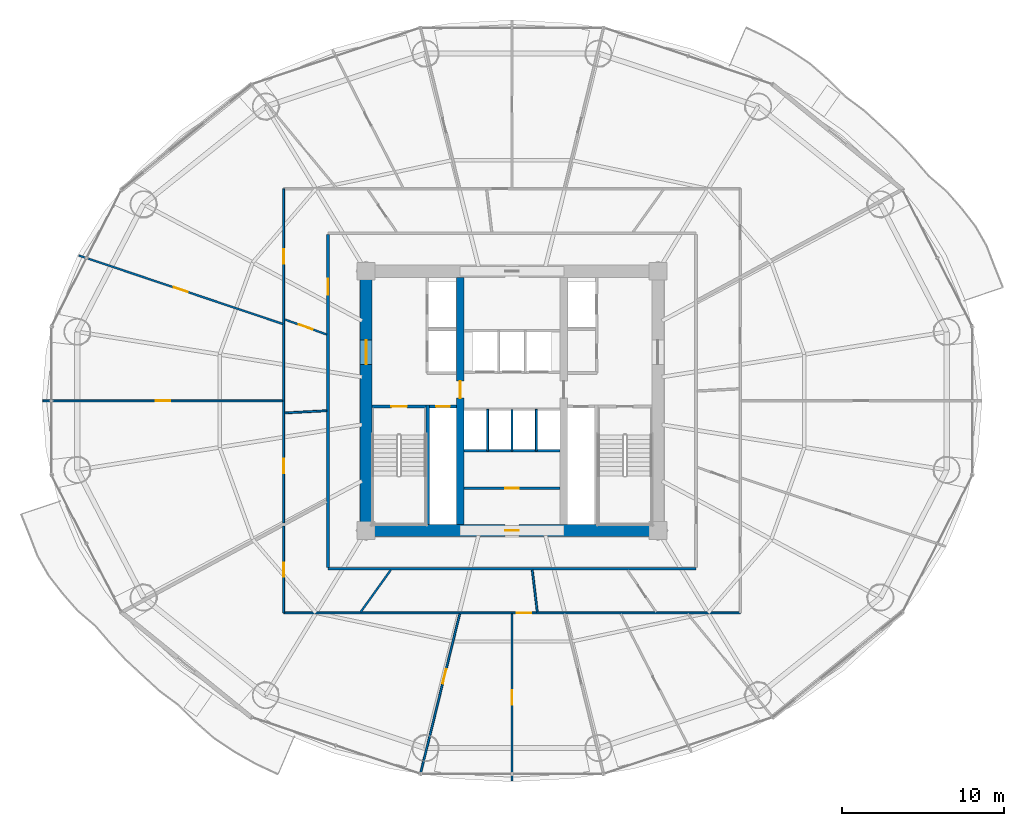
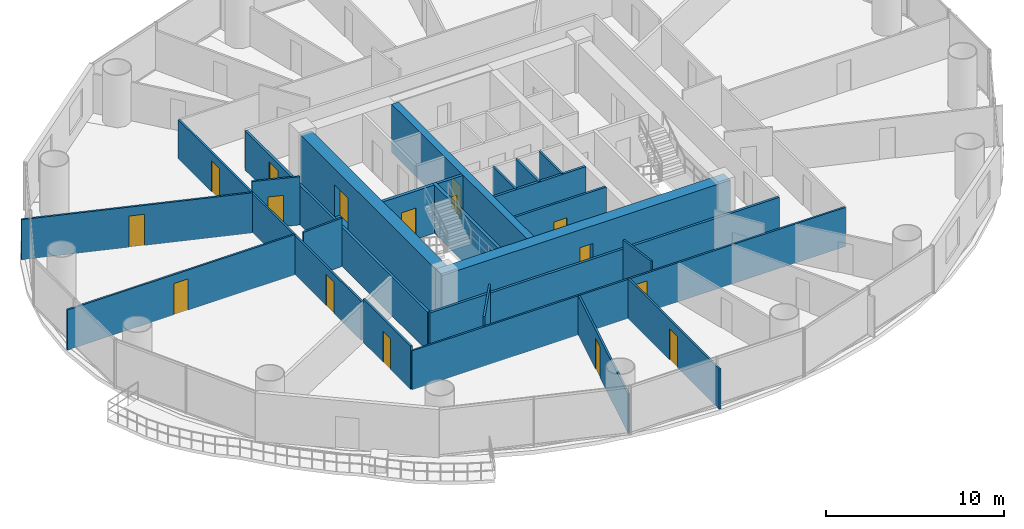
# One storey, part 23 of 30: 24 walls, 16 doors, 16 openings.
"""IFC4 building model written with IfcOpenShell, lengths in metres."""

from ifc_helpers import new_model, si_unit, direction, frame, frame_2d, origin, place, context, subcontext, project, spatial, rectangle, extrude, source, transform, mapped, material, layer, layer_set, type_object, element, fill, save


model = new_model("IFC4")

# Units and contexts
model_context = context("Model", 3, precision=1e-05, world=origin(), true_north=direction((-0.2419218956, 0.970295726276)))
body_context = subcontext(model_context, "Body", "Model", "MODEL_VIEW")
ifc_project = project(units=[si_unit("LENGTHUNIT", "METRE"), si_unit("AREAUNIT", "SQUARE_METRE"), si_unit("VOLUMEUNIT", "CUBIC_METRE"), si_unit("PLANEANGLEUNIT", "RADIAN"), si_unit("MASSUNIT", "GRAM", prefix="KILO")], contexts=[model_context])

# Site, building, storey
site_placement = place(None, origin())
site = spatial("IfcSite", under=ifc_project, at=site_placement, CompositionType="ELEMENT")
building_placement = place(site_placement, origin())
building = spatial("IfcBuilding", under=site, at=building_placement, Name="Cobrevalo Terracotta Tower", CompositionType="ELEMENT")
storey_placement = place(building_placement, frame((0.0, 0.0, 63.60009765625)))
storey = spatial("IfcBuildingStorey", under=building, at=storey_placement, Name="L16", CompositionType="ELEMENT", Elevation=63.60009765625)

# Wall, opening, door
ifc_material_1 = material(Name="Concrete C60", Category="concrete")
ifc_layer_1 = layer(ifc_material_1, 0.75)
ifc_layer_set_1 = layer_set([ifc_layer_1], Name="Concrete C60")
wall_type_1 = type_object("IfcWallType", Name="Core shear wall 750 mm Concrete C60", PredefinedType="SHEAR", material=ifc_layer_set_1)
wall_1_placement = place(storey_placement, frame((28.625, 18.800048828125, 0.0), z_axis=(0.0, 0.0, 1.0), x_axis=(1.0, 0.0, 0.0)))
wall_1 = element("IfcWall", 1, at=wall_1_placement, inside=storey, type_object=wall_type_1, Name="L16 south core shear wall", PredefinedType="SHEAR", context=body_context, shape_type="SweptSolid", body=[
    extrude(rectangle(XDim=18.75, YDim=0.75, at=frame_2d((9.375, 0.0))), origin(), (0.0, 0.0, 1.0), 3.31982421875),
])
opening_1_placement = place(wall_1_placement, frame((8.949951171875, 0.0, 0.0)))
opening_1 = element("IfcOpeningElement", 2, at=opening_1_placement, cuts=wall_1, Name="Opening ID-22", PredefinedType="OPENING", context=body_context, shape_type="SweptSolid", body=[
    extrude(rectangle(XDim=0.85009765625, YDim=2.10009765625, at=frame_2d((0.425048828125, 1.050048828125))), frame((0.0, 0.385009765625, 0.0), z_axis=(0.0, -1.0, 0.0), x_axis=(1.0, 0.0, 0.0)), (0.0, 0.0, 1.0), 0.77001953125),
])
ifc_material_2 = material(Name="Powder-coated steel", Category="steel")
door_type_1 = type_object("IfcDoorType", Name="Riser shaft & meter closet fire access door 850x2100 EI 60", OperationType="NOTDEFINED", PredefinedType="DOOR", material=ifc_material_2)
shared_shape_1 = source(origin(), body_context, "Body", "SweptSolid", [
    extrude(rectangle(XDim=0.85009765625, YDim=2.10009765625, at=frame_2d((0.425048828125, 1.050048828125))), frame((0.0, 0.02490234375, 0.0), z_axis=(0.0, -1.0, 0.0), x_axis=(1.0, 0.0, 0.0)), (0.0, 0.0, 1.0), 0.050048828125),
])
door_1_placement = place(opening_1_placement, origin())
door_1 = element("IfcDoor", 3, at=door_1_placement, inside=storey, type_object=door_type_1, Name="L16 core south plant door Smoke Extract Fan Plant", OperationType="SINGLE_SWING_RIGHT", OverallHeight=2.10009765625, OverallWidth=0.85009765625, PredefinedType="DOOR", context=body_context, shape_type="MappedRepresentation", body=[
    mapped(shared_shape_1, transform((0.0, 0.0, 0.0), scale=1.0)),
])
fill(opening_1, door_1)

wall_2_placement = place(storey_placement, frame((29.0, 19.175048828125, 0.0), z_axis=(0.0, 0.0, 1.0), x_axis=(0.0, 1.0, 0.0)))
wall_2 = element("IfcWall", 4, at=wall_2_placement, inside=storey, type_object=wall_type_1, Name="L16 west core shear wall", PredefinedType="SHEAR", context=body_context, shape_type="SweptSolid", body=[
    extrude(rectangle(XDim=15.25, YDim=0.75, at=frame_2d((7.625, 0.0))), origin(), (0.0, 0.0, 1.0), 3.31982421875),
])
opening_2_placement = place(wall_2_placement, frame((9.875, 0.0, 0.0)))
opening_2 = element("IfcOpeningElement", 5, at=opening_2_placement, cuts=wall_2, Name="Opening ID-14", PredefinedType="OPENING", context=body_context, shape_type="SweptSolid", body=[
    extrude(rectangle(XDim=1.5, YDim=2.199951171875, at=frame_2d((0.75, 1.10009765625))), frame((0.0, 0.385009765625, 0.0), z_axis=(0.0, -1.0, 0.0), x_axis=(1.0, 0.0, 0.0)), (0.0, 0.0, 1.0), 0.77001953125),
])
ifc_material_3 = material(Name="Galvanized fire-rated steel", Category="steel")
door_type_2 = type_object("IfcDoorType", Name="Core cross-lobby double fire door 1500x2200 EI 90", OperationType="NOTDEFINED", PredefinedType="DOOR", material=ifc_material_3)
shared_shape_2 = source(origin(), body_context, "Body", "SweptSolid", [
    extrude(rectangle(XDim=1.5, YDim=2.199951171875, at=frame_2d((0.75, 1.10009765625))), frame((0.0, 0.02490234375, 0.0), z_axis=(0.0, -1.0, 0.0), x_axis=(1.0, 0.0, 0.0)), (0.0, 0.0, 1.0), 0.050048828125),
])
door_2_placement = place(opening_2_placement, origin())
door_2 = element("IfcDoor", 6, at=door_2_placement, inside=storey, type_object=door_type_2, Name="L16 west firefighting lobby entrance door", OperationType="DOUBLE_DOOR_SINGLE_SWING", OverallHeight=2.199951171875, OverallWidth=1.5, PredefinedType="DOOR", context=body_context, shape_type="MappedRepresentation", body=[
    mapped(shared_shape_2, transform((0.0, 0.0, 0.0), scale=1.0)),
])
fill(opening_2, door_2)

# Walls
ifc_material_4 = material(Name="Gypsum board on steel stud", Category="steel")
ifc_layer_2 = layer(ifc_material_4, 0.159912109375)
ifc_layer_set_2 = layer_set([ifc_layer_2], Name="Gypsum board on steel stud")
wall_type_2 = type_object("IfcWallType", Name="Fire-rated corridor acoustic partition wall 160 mm", PredefinedType="PARTITIONING", material=ifc_layer_set_2)
wall_3_placement = place(storey_placement, frame((35.02490234375, 23.719970703125, 0.0), z_axis=(0.0, 0.0, 1.0), x_axis=(1.0, 0.0, 0.0)))
element("IfcWall", 7, at=wall_3_placement, inside=storey, type_object=wall_type_2, Name="L16 interior partition IW-L16-MB-S", PredefinedType="PARTITIONING", context=body_context, shape_type="SweptSolid", body=[
    extrude(rectangle(XDim=5.9501953125, YDim=0.159912109375, at=frame_2d((2.97509765625, 0.0))), origin(), (0.0, 0.0, 1.0), 3.31982421875),
])
wall_4_placement = place(storey_placement, frame((26.64501953125, 16.445068359375, 0.0), z_axis=(0.0, 0.0, 1.0), x_axis=(1.0, 0.0, 0.0)))
element("IfcWall", 8, at=wall_4_placement, inside=storey, type_object=wall_type_2, Name="L16 interior partition IW-L16-COR-S", PredefinedType="PARTITIONING", context=body_context, shape_type="SweptSolid", body=[
    extrude(rectangle(XDim=22.7099609375, YDim=0.159912109375, at=frame_2d((11.35498046875, 0.0))), origin(), (0.0, 0.0, 1.0), 2.68798828125),
])

# Wall, opening, door
wall_5_placement = place(storey_placement, frame((26.64501953125, 16.52490234375, 0.0), z_axis=(0.0, 0.0, 1.0), x_axis=(0.0, 1.0, 0.0)))
wall_5 = element("IfcWall", 9, at=wall_5_placement, inside=storey, type_object=wall_type_2, Name="L16 interior partition IW-L16-COR-W", PredefinedType="PARTITIONING", context=body_context, shape_type="SweptSolid", body=[
    extrude(rectangle(XDim=20.550048828125, YDim=0.159912109375, at=frame_2d((10.27490234375, 0.0))), origin(), (0.0, 0.0, 1.0), 2.68798828125),
])
opening_3_placement = place(wall_5_placement, frame((16.8369140625, 0.0, 0.0)))
opening_3 = element("IfcOpeningElement", 10, at=opening_3_placement, cuts=wall_5, Name="Opening ID-05", PredefinedType="OPENING", context=body_context, shape_type="SweptSolid", body=[
    extrude(rectangle(XDim=0.97998046875, YDim=2.199951171875, at=frame_2d((0.489990234375, 1.10009765625))), frame((0.0, 0.08984375, 0.0), z_axis=(0.0, -1.0, 0.0), x_axis=(1.0, 0.0, 0.0)), (0.0, 0.0, 1.0), 0.179931640625),
])
ifc_material_5 = material(Name="Solid hardwood timber", Category="wood")
door_type_3 = type_object("IfcDoorType", Name="Residence entrance fire-rated acoustic timber door 980x2200 EI 60", OperationType="NOTDEFINED", PredefinedType="DOOR", material=ifc_material_5)
shared_shape_3 = source(origin(), body_context, "Body", "SweptSolid", [
    extrude(rectangle(XDim=0.97998046875, YDim=2.199951171875, at=frame_2d((0.489990234375, 1.10009765625))), frame((0.0, 0.02490234375, 0.0), z_axis=(0.0, -1.0, 0.0), x_axis=(1.0, 0.0, 0.0)), (0.0, 0.0, 1.0), 0.050048828125),
])
door_3_placement = place(opening_3_placement, origin())
door_3 = element("IfcDoor", 11, at=door_3_placement, inside=storey, type_object=door_type_3, Name="Flat L16A fire-rated apartment entrance door", OperationType="SINGLE_SWING_LEFT", OverallHeight=2.199951171875, OverallWidth=0.97998046875, PredefinedType="DOOR", context=body_context, shape_type="MappedRepresentation", body=[
    mapped(shared_shape_3, transform((0.0, 0.0, 0.0), scale=1.0)),
])
fill(opening_3, door_3)

ifc_layer_3 = layer(ifc_material_4, 0.179931640625)
ifc_layer_set_3 = layer_set([ifc_layer_3], Name="Gypsum board on steel stud")
wall_type_3 = type_object("IfcWallType", Name="Fire-rated shaft & lobby acoustic partition wall 180 mm", PredefinedType="PARTITIONING", material=ifc_layer_set_3)
wall_6_placement = place(storey_placement, frame((32.89990234375, 26.449951171875, 0.0), z_axis=(0.0, 0.0, 1.0), x_axis=(1.0, 0.0, 0.0)))
wall_6 = element("IfcWall", 12, at=wall_6_placement, inside=storey, type_object=wall_type_3, Name="L16 interior partition IW-L16-RSW-N", PredefinedType="PARTITIONING", context=body_context, shape_type="SweptSolid", body=[
    extrude(rectangle(XDim=1.675048828125, YDim=0.179931640625, at=frame_2d((0.83740234375, 0.0))), origin(), (0.0, 0.0, 1.0), 3.31982421875),
])
opening_4_placement = place(wall_6_placement, frame((0.41259765625, 0.0, 0.0)))
opening_4 = element("IfcOpeningElement", 13, at=opening_4_placement, cuts=wall_6, Name="Opening ID-22", PredefinedType="OPENING", context=body_context, shape_type="SweptSolid", body=[
    extrude(rectangle(XDim=0.85009765625, YDim=2.10009765625, at=frame_2d((0.425048828125, 1.050048828125))), frame((0.0, 0.10009765625, 0.0), z_axis=(0.0, -1.0, 0.0), x_axis=(1.0, 0.0, 0.0)), (0.0, 0.0, 1.0), 0.199951171875),
])
door_4_placement = place(opening_4_placement, origin())
door_4 = element("IfcDoor", 14, at=door_4_placement, inside=storey, type_object=door_type_1, Name="L16 riser access door RSW", OperationType="SINGLE_SWING_LEFT", OverallHeight=2.10009765625, OverallWidth=0.85009765625, PredefinedType="DOOR", context=body_context, shape_type="MappedRepresentation", body=[
    mapped(shared_shape_1, transform((0.0, 0.0, 0.0), scale=1.0)),
])
fill(opening_4, door_4)

# Walls
ifc_material_6 = material(Name="Autoclaved aerated concrete block", Category="concrete")
ifc_layer_4 = layer(ifc_material_6, 0.1201171875)
ifc_layer_set_4 = layer_set([ifc_layer_4], Name="Autoclaved aerated concrete block")
wall_type_4 = type_object("IfcWallType", Name="Fire-rated wet-room & core service partition 120 mm", PredefinedType="PARTITIONING", material=ifc_layer_set_4)
for number, where, z_axis, x_axis, name in (
    (15, (36.5, 23.719970703125, 0.0), (0.0, 0.0, 1.0), (0.0, 1.0, 0.0), "L16 interior partition IW-L16-MB-D1"),
    (16, (39.5, 23.719970703125, 0.0), (0.0, 0.0, 1.0), (0.0, 1.0, 0.0), "L16 interior partition IW-L16-MB-D3"),
):
    element("IfcWall", number, at=place(storey_placement, frame(where, z_axis=z_axis, x_axis=x_axis)), inside=storey, type_object=wall_type_4, Name=name, PredefinedType="PARTITIONING", context=body_context, shape_type="SweptSolid", body=[
        extrude(rectangle(XDim=2.56005859375, YDim=0.1201171875, at=frame_2d((1.280029296875, 0.0))), origin(), (0.0, 0.0, 1.0), 3.31982421875),
    ])

# Wall, opening, door
ifc_material_7 = material(Name="Concrete C55", Category="concrete")
ifc_layer_5 = layer(ifc_material_7, 0.449951171875)
ifc_layer_set_5 = layer_set([ifc_layer_5], Name="Concrete C55")
wall_type_5 = type_object("IfcWallType", Name="Internal core shear web wall 450 mm Concrete C55", PredefinedType="SHEAR", material=ifc_layer_set_5)
wall_7_placement = place(storey_placement, frame((34.800048828125, 19.175048828125, 0.0), z_axis=(0.0, 0.0, 1.0), x_axis=(0.0, 1.0, 0.0)))
wall_7 = element("IfcWall", 17, at=wall_7_placement, inside=storey, type_object=wall_type_5, Name="L16 internal core shear wall WEB-W", PredefinedType="SHEAR", context=body_context, shape_type="SweptSolid", body=[
    extrude(rectangle(XDim=15.25, YDim=0.449951171875, at=frame_2d((7.625, 0.0))), origin(), (0.0, 0.0, 1.0), 3.31982421875),
])
opening_5_placement = place(wall_7_placement, frame((7.800048828125, 0.0, 0.0)))
opening_5 = element("IfcOpeningElement", 18, at=opening_5_placement, cuts=wall_7, Name="Opening ID-11", PredefinedType="OPENING", context=body_context, shape_type="SweptSolid", body=[
    extrude(rectangle(XDim=1.050048828125, YDim=2.14990234375, at=frame_2d((0.52490234375, 1.074951171875))), frame((0.0, 0.23486328125, 0.0), z_axis=(0.0, -1.0, 0.0), x_axis=(1.0, 0.0, 0.0)), (0.0, 0.0, 1.0), 0.469970703125),
])
door_type_4 = type_object("IfcDoorType", Name="Core concourse cross fire door 1050x2150 EI 90", OperationType="NOTDEFINED", PredefinedType="DOOR", material=ifc_material_3)
shared_shape_4 = source(origin(), body_context, "Body", "SweptSolid", [
    extrude(rectangle(XDim=1.050048828125, YDim=2.14990234375, at=frame_2d((0.52490234375, 1.074951171875))), frame((0.0, 0.02490234375, 0.0), z_axis=(0.0, -1.0, 0.0), x_axis=(1.0, 0.0, 0.0)), (0.0, 0.0, 1.0), 0.050048828125),
])
door_5_placement = place(opening_5_placement, origin())
door_5 = element("IfcDoor", 19, at=door_5_placement, inside=storey, type_object=door_type_4, Name="L16 west core concourse cross door", OperationType="SINGLE_SWING_LEFT", OverallHeight=2.14990234375, OverallWidth=1.050048828125, PredefinedType="DOOR", context=body_context, shape_type="MappedRepresentation", body=[
    mapped(shared_shape_4, transform((0.0, 0.0, 0.0), scale=1.0)),
])
fill(opening_5, door_5)

# Wall
ifc_layer_6 = layer(ifc_material_6, 0.139892578125)
ifc_layer_set_6 = layer_set([ifc_layer_6], Name="Autoclaved aerated concrete block")
wall_type_6 = type_object("IfcWallType", Name="Moisture-resistant wet-room & core service partition 140 mm", PredefinedType="PARTITIONING", material=ifc_layer_set_6)
wall_8_placement = place(storey_placement, frame((38.0, 23.719970703125, 0.0), z_axis=(0.0, 0.0, 1.0), x_axis=(0.0, 1.0, 0.0)))
element("IfcWall", 20, at=wall_8_placement, inside=storey, type_object=wall_type_6, Name="L16 interior partition IW-L16-MB-D2", PredefinedType="PARTITIONING", context=body_context, shape_type="SweptSolid", body=[
    extrude(rectangle(XDim=2.56005859375, YDim=0.139892578125, at=frame_2d((1.280029296875, 0.0))), origin(), (0.0, 0.0, 1.0), 3.31982421875),
])

# Wall, opening, door
wall_9_placement = place(storey_placement, frame((35.02490234375, 21.407470703125, 0.0), z_axis=(0.0, 0.0, 1.0), x_axis=(1.0, 0.0, 0.0)))
wall_9 = element("IfcWall", 21, at=wall_9_placement, inside=storey, type_object=wall_type_6, Name="L16 interior partition IW-L16-KVS-H", PredefinedType="PARTITIONING", context=body_context, shape_type="SweptSolid", body=[
    extrude(rectangle(XDim=5.9501953125, YDim=0.139892578125, at=frame_2d((2.97509765625, 0.0))), origin(), (0.0, 0.0, 1.0), 3.31982421875),
])
opening_6_placement = place(wall_9_placement, frame((2.550048828125, 0.0, 0.0)))
opening_6 = element("IfcOpeningElement", 22, at=opening_6_placement, cuts=wall_9, Name="Opening ID-22", PredefinedType="OPENING", context=body_context, shape_type="SweptSolid", body=[
    extrude(rectangle(XDim=0.85009765625, YDim=2.10009765625, at=frame_2d((0.425048828125, 1.050048828125))), frame((0.0, 0.080078125, 0.0), z_axis=(0.0, -1.0, 0.0), x_axis=(1.0, 0.0, 0.0)), (0.0, 0.0, 1.0), 0.159912109375),
])
door_6_placement = place(opening_6_placement, origin())
door_6 = element("IfcDoor", 23, at=door_6_placement, inside=storey, type_object=door_type_1, Name="L16 core manifold inner door", OperationType="SINGLE_SWING_LEFT", OverallHeight=2.10009765625, OverallWidth=0.85009765625, PredefinedType="DOOR", context=body_context, shape_type="MappedRepresentation", body=[
    mapped(shared_shape_1, transform((0.0, 0.0, 0.0), scale=1.0)),
])
fill(opening_6, door_6)

# Wall, openings, doors
ifc_layer_7 = layer(ifc_material_4, 0.1201171875)
ifc_layer_set_7 = layer_set([ifc_layer_7], Name="Gypsum board on steel stud")
wall_type_7 = type_object("IfcWallType", Name="Residential internal acoustic stud partition 120 mm", PredefinedType="PARTITIONING", material=ifc_layer_set_7)
wall_10_placement = place(storey_placement, frame((23.9150390625, 19.275634765625, 0.0), z_axis=(0.0, 0.0, 1.0), x_axis=(0.0, 1.0, 0.0)))
wall_10 = element("IfcWall", 24, at=wall_10_placement, inside=storey, type_object=wall_type_7, Name="L16 interior partition IW-L16-U1-RING0_0", PredefinedType="PARTITIONING", context=body_context, shape_type="SweptSolid", body=[
    extrude(rectangle(XDim=20.609375, YDim=0.1201171875, at=frame_2d((10.3046875, 0.0))), origin(), (0.0, 0.0, 1.0), 2.68798828125),
])
opening_7_placement = place(wall_10_placement, frame((15.972412109375, 0.0, 0.0)))
opening_7 = element("IfcOpeningElement", 25, at=opening_7_placement, cuts=wall_10, Name="Opening ID-12", PredefinedType="OPENING", context=body_context, shape_type="SweptSolid", body=[
    extrude(rectangle(XDim=0.89990234375, YDim=2.14990234375, at=frame_2d((0.449951171875, 1.074951171875))), frame((0.0, 0.070068359375, 0.0), z_axis=(0.0, -1.0, 0.0), x_axis=(1.0, 0.0, 0.0)), (0.0, 0.0, 1.0), 0.14013671875),
])
opening_8_placement = place(wall_10_placement, frame((3.058349609375, 0.0, 0.0)))
opening_8 = element("IfcOpeningElement", 26, at=opening_8_placement, cuts=wall_10, Name="Opening ID-12", PredefinedType="OPENING", context=body_context, shape_type="SweptSolid", body=[
    extrude(rectangle(XDim=0.89990234375, YDim=2.14990234375, at=frame_2d((0.449951171875, 1.074951171875))), frame((0.0, 0.070068359375, 0.0), z_axis=(0.0, -1.0, 0.0), x_axis=(1.0, 0.0, 0.0)), (0.0, 0.0, 1.0), 0.14013671875),
])
ifc_material_8 = material(Name="Engineered timber", Category="wood")
door_type_5 = type_object("IfcDoorType", Name="Internal residence & suite timber door 900x2150", OperationType="NOTDEFINED", PredefinedType="DOOR", material=ifc_material_8)
shared_shape_5 = source(origin(), body_context, "Body", "SweptSolid", [
    extrude(rectangle(XDim=0.89990234375, YDim=2.14990234375, at=frame_2d((0.449951171875, 1.074951171875))), frame((0.0, 0.02490234375, 0.0), z_axis=(0.0, -1.0, 0.0), x_axis=(1.0, 0.0, 0.0)), (0.0, 0.0, 1.0), 0.050048828125),
])
door_7_placement = place(opening_7_placement, origin())
door_7 = element("IfcDoor", 27, at=door_7_placement, inside=storey, type_object=door_type_5, Name="Flat L16A Penthouse Family Lounge internal door", OperationType="SINGLE_SWING_RIGHT", OverallHeight=2.14990234375, OverallWidth=0.89990234375, PredefinedType="DOOR", context=body_context, shape_type="MappedRepresentation", body=[
    mapped(shared_shape_5, transform((0.0, 0.0, 0.0), scale=1.0)),
])
fill(opening_7, door_7)
door_8_placement = place(opening_8_placement, frame((0.89990234375, 0.0, 0.0), z_axis=(0.0, 0.0, 1.0), x_axis=(-1.0, 0.0, 0.0)))
door_8 = element("IfcDoor", 28, at=door_8_placement, inside=storey, type_object=door_type_5, Name="Flat L16A Utility Closet internal door", OperationType="SINGLE_SWING_LEFT", OverallHeight=2.14990234375, OverallWidth=0.89990234375, PredefinedType="DOOR", context=body_context, shape_type="MappedRepresentation", body=[
    mapped(shared_shape_5, transform((0.0, 0.0, 0.0), scale=1.0)),
])
fill(opening_8, door_8)

# Wall, opening, door
wall_11_placement = place(storey_placement, frame((23.856201171875, 31.54736328125, 0.0), z_axis=(0.0, 0.0, 1.0), x_axis=(-0.948017487737, 0.318218231634, 0.0)))
wall_11 = element("IfcWall", 29, at=wall_11_placement, inside=storey, type_object=wall_type_7, Name="L16 interior partition IW-L16-U1-ORAD4", PredefinedType="PARTITIONING", context=body_context, shape_type="SweptSolid", body=[
    extrude(rectangle(XDim=13.27880859375, YDim=0.1201171875, at=frame_2d((6.639404296875, 0.0))), origin(), (0.0, 0.0, 1.0), 2.761962890625),
])
opening_9_placement = place(wall_11_placement, frame((6.189453125, 0.0, 0.0)))
opening_9 = element("IfcOpeningElement", 30, at=opening_9_placement, cuts=wall_11, Name="Opening ID-12", PredefinedType="OPENING", context=body_context, shape_type="SweptSolid", body=[
    extrude(rectangle(XDim=0.89990234375, YDim=2.14990234375, at=frame_2d((0.449951171875, 1.074951171875))), frame((0.0, 0.070068359375, 0.0), z_axis=(0.0, -1.0, 0.0), x_axis=(1.0, 0.0, 0.0)), (0.0, 0.0, 1.0), 0.14013671875),
])
door_9_placement = place(opening_9_placement, origin())
door_9 = element("IfcDoor", 31, at=door_9_placement, inside=storey, type_object=door_type_5, Name="Flat L16A Penthouse Family Lounge internal door", OperationType="SINGLE_SWING_LEFT", OverallHeight=2.14990234375, OverallWidth=0.89990234375, PredefinedType="DOOR", context=body_context, shape_type="MappedRepresentation", body=[
    mapped(shared_shape_5, transform((0.0, 0.0, 0.0), scale=1.0)),
])
fill(opening_9, door_9)

wall_12_placement = place(storey_placement, frame((23.85302734375, 26.800048828125, 0.0), z_axis=(0.0, 0.0, 1.0), x_axis=(-1.0, 0.0, 0.0)))
wall_12 = element("IfcWall", 32, at=wall_12_placement, inside=storey, type_object=wall_type_7, Name="L16 interior partition IW-L16-U1-ORAD5", PredefinedType="PARTITIONING", context=body_context, shape_type="SweptSolid", body=[
    extrude(rectangle(XDim=14.79296875, YDim=0.1201171875, at=frame_2d((7.396484375, 0.0))), origin(), (0.0, 0.0, 1.0), 2.761962890625),
])
opening_10_placement = place(wall_12_placement, frame((6.946533203125, 0.0, 0.0)))
opening_10 = element("IfcOpeningElement", 33, at=opening_10_placement, cuts=wall_12, Name="Opening ID-12", PredefinedType="OPENING", context=body_context, shape_type="SweptSolid", body=[
    extrude(rectangle(XDim=0.89990234375, YDim=2.14990234375, at=frame_2d((0.449951171875, 1.074951171875))), frame((0.0, 0.070068359375, 0.0), z_axis=(0.0, -1.0, 0.0), x_axis=(1.0, 0.0, 0.0)), (0.0, 0.0, 1.0), 0.14013671875),
])
door_10_placement = place(opening_10_placement, origin())
door_10 = element("IfcDoor", 34, at=door_10_placement, inside=storey, type_object=door_type_5, Name="Flat L16A Private Cinema Room internal door", OperationType="SINGLE_SWING_RIGHT", OverallHeight=2.14990234375, OverallWidth=0.89990234375, PredefinedType="DOOR", context=body_context, shape_type="MappedRepresentation", body=[
    mapped(shared_shape_5, transform((0.0, 0.0, 0.0), scale=1.0)),
])
fill(opening_10, door_10)

wall_13_placement = place(storey_placement, frame((26.56494140625, 30.896484375, 0.0), z_axis=(0.0, 0.0, 1.0), x_axis=(-0.941406362049, 0.337274460186, 0.0)))
wall_13 = element("IfcWall", 35, at=wall_13_placement, inside=storey, type_object=wall_type_7, Name="L16 interior partition IW-L16-U1-IRAD4", PredefinedType="PARTITIONING", context=body_context, shape_type="SweptSolid", body=[
    extrude(rectangle(XDim=2.7529296875, YDim=0.1201171875, at=frame_2d((1.37646484375, 0.0))), origin(), (0.0, 0.0, 1.0), 3.31982421875),
])
opening_11_placement = place(wall_13_placement, frame((0.926513671875, 0.0, 0.0)))
opening_11 = element("IfcOpeningElement", 36, at=opening_11_placement, cuts=wall_13, Name="Opening ID-12", PredefinedType="OPENING", context=body_context, shape_type="SweptSolid", body=[
    extrude(rectangle(XDim=0.89990234375, YDim=2.14990234375, at=frame_2d((0.449951171875, 1.074951171875))), frame((0.0, 0.070068359375, 0.0), z_axis=(0.0, -1.0, 0.0), x_axis=(1.0, 0.0, 0.0)), (0.0, 0.0, 1.0), 0.14013671875),
])
door_11_placement = place(opening_11_placement, origin())
door_11 = element("IfcDoor", 37, at=door_11_placement, inside=storey, type_object=door_type_5, Name="Flat L16A Kitchen internal door", OperationType="SINGLE_SWING_LEFT", OverallHeight=2.14990234375, OverallWidth=0.89990234375, PredefinedType="DOOR", context=body_context, shape_type="MappedRepresentation", body=[
    mapped(shared_shape_5, transform((0.0, 0.0, 0.0), scale=1.0)),
])
fill(opening_11, door_11)

# Wall
wall_14_placement = place(storey_placement, frame((26.56494140625, 26.192626953125, 0.0), z_axis=(0.0, 0.0, 1.0), x_axis=(-0.99859273586, -0.053033460078, 0.0)))
element("IfcWall", 38, at=wall_14_placement, inside=storey, type_object=wall_type_7, Name="L16 interior partition IW-L16-U1-IRAD5", PredefinedType="PARTITIONING", context=body_context, shape_type="SweptSolid", body=[
    extrude(rectangle(XDim=2.591796875, YDim=0.1201171875, at=frame_2d((1.2958984375, 0.0))), origin(), (0.0, 0.0, 1.0), 3.31982421875),
])

# Wall, opening, door
wall_15_placement = place(storey_placement, frame((52.0849609375, 13.715087890625, 0.0), z_axis=(0.0, 0.0, 1.0), x_axis=(-1.0, 0.0, 0.0)))
wall_15 = element("IfcWall", 39, at=wall_15_placement, inside=storey, type_object=wall_type_7, Name="L16 interior partition IW-L16-U2-RING1_0", PredefinedType="PARTITIONING", context=body_context, shape_type="SweptSolid", body=[
    extrude(rectangle(XDim=28.169921875, YDim=0.1201171875, at=frame_2d((14.0849609375, 0.0))), origin(), (0.0, 0.0, 1.0), 2.68798828125),
])
opening_12_placement = place(wall_15_placement, frame((12.890625, 0.0, 0.0)))
opening_12 = element("IfcOpeningElement", 40, at=opening_12_placement, cuts=wall_15, Name="Opening ID-12", PredefinedType="OPENING", context=body_context, shape_type="SweptSolid", body=[
    extrude(rectangle(XDim=0.89990234375, YDim=2.14990234375, at=frame_2d((0.449951171875, 1.074951171875))), frame((0.0, 0.070068359375, 0.0), z_axis=(0.0, -1.0, 0.0), x_axis=(1.0, 0.0, 0.0)), (0.0, 0.0, 1.0), 0.14013671875),
])
door_12_placement = place(opening_12_placement, frame((0.89990234375, 0.0, 0.0), z_axis=(0.0, 0.0, 1.0), x_axis=(-1.0, 0.0, 0.0)))
door_12 = element("IfcDoor", 41, at=door_12_placement, inside=storey, type_object=door_type_5, Name="Flat L16B Home Office Study internal door", OperationType="SINGLE_SWING_LEFT", OverallHeight=2.14990234375, OverallWidth=0.89990234375, PredefinedType="DOOR", context=body_context, shape_type="MappedRepresentation", body=[
    mapped(shared_shape_5, transform((0.0, 0.0, 0.0), scale=1.0)),
])
fill(opening_12, door_12)

wall_16_placement = place(storey_placement, frame((23.9150390625, 13.715087890625, 0.0), z_axis=(0.0, 0.0, 1.0), x_axis=(0.0, 1.0, 0.0)))
wall_16 = element("IfcWall", 42, at=wall_16_placement, inside=storey, type_object=wall_type_7, Name="L16 interior partition IW-L16-U2-RING2_0", PredefinedType="PARTITIONING", context=body_context, shape_type="SweptSolid", body=[
    extrude(rectangle(XDim=5.3564453125, YDim=0.1201171875, at=frame_2d((2.67822265625, 0.0))), origin(), (0.0, 0.0, 1.0), 2.9990234375),
])
opening_13_placement = place(wall_16_placement, frame((2.248291015625, 0.0, 0.0)))
opening_13 = element("IfcOpeningElement", 43, at=opening_13_placement, cuts=wall_16, Name="Opening ID-19", PredefinedType="OPENING", context=body_context, shape_type="SweptSolid", body=[
    extrude(rectangle(XDim=0.860107421875, YDim=2.14990234375, at=frame_2d((0.43017578125, 1.074951171875))), frame((0.0, 0.070068359375, 0.0), z_axis=(0.0, -1.0, 0.0), x_axis=(1.0, 0.0, 0.0)), (0.0, 0.0, 1.0), 0.14013671875),
])
ifc_material_9 = material(Name="Moisture-sealed timber", Category="wood")
door_type_6 = type_object("IfcDoorType", Name="Suite bathroom internal timber door 860x2150", OperationType="NOTDEFINED", PredefinedType="DOOR", material=ifc_material_9)
shared_shape_6 = source(origin(), body_context, "Body", "SweptSolid", [
    extrude(rectangle(XDim=0.860107421875, YDim=2.14990234375, at=frame_2d((0.43017578125, 1.074951171875))), frame((0.0, 0.02490234375, 0.0), z_axis=(0.0, -1.0, 0.0), x_axis=(1.0, 0.0, 0.0)), (0.0, 0.0, 1.0), 0.050048828125),
])
door_13_placement = place(opening_13_placement, frame((0.860107421875, 0.0, 0.0), z_axis=(0.0, 0.0, 1.0), x_axis=(-1.0, 0.0, 0.0)))
door_13 = element("IfcDoor", 44, at=door_13_placement, inside=storey, type_object=door_type_6, Name="Flat L16B Guest Bathroom internal door", OperationType="SINGLE_SWING_RIGHT", OverallHeight=2.14990234375, OverallWidth=0.860107421875, PredefinedType="DOOR", context=body_context, shape_type="MappedRepresentation", body=[
    mapped(shared_shape_6, transform((0.0, 0.0, 0.0), scale=1.0)),
])
fill(opening_13, door_13)

wall_17_placement = place(storey_placement, frame((34.773193359375, 13.65478515625, 0.0), z_axis=(0.0, 0.0, 1.0), x_axis=(-0.238375747469, -0.97117300365, 0.0)))
wall_17 = element("IfcWall", 45, at=wall_17_placement, inside=storey, type_object=wall_type_7, Name="L16 interior partition IW-L16-U2-ORAD1", PredefinedType="PARTITIONING", context=body_context, shape_type="SweptSolid", body=[
    extrude(rectangle(XDim=10.086181640625, YDim=0.1201171875, at=frame_2d((5.04296875, 0.0))), origin(), (0.0, 0.0, 1.0), 2.68798828125),
])
opening_14_placement = place(wall_17_placement, frame((3.51806640625, 0.0, 0.0)))
opening_14 = element("IfcOpeningElement", 46, at=opening_14_placement, cuts=wall_17, Name="Opening ID-12", PredefinedType="OPENING", context=body_context, shape_type="SweptSolid", body=[
    extrude(rectangle(XDim=0.89990234375, YDim=2.14990234375, at=frame_2d((0.449951171875, 1.074951171875))), frame((0.0, 0.070068359375, 0.0), z_axis=(0.0, -1.0, 0.0), x_axis=(1.0, 0.0, 0.0)), (0.0, 0.0, 1.0), 0.14013671875),
])
door_14_placement = place(opening_14_placement, frame((0.89990234375, 0.0, 0.0), z_axis=(0.0, 0.0, 1.0), x_axis=(-1.0, 0.0, 0.0)))
door_14 = element("IfcDoor", 47, at=door_14_placement, inside=storey, type_object=door_type_5, Name="Flat L16B Penthouse Living and Dining Room internal door", OperationType="SINGLE_SWING_LEFT", OverallHeight=2.14990234375, OverallWidth=0.89990234375, PredefinedType="DOOR", context=body_context, shape_type="MappedRepresentation", body=[
    mapped(shared_shape_5, transform((0.0, 0.0, 0.0), scale=1.0)),
])
fill(opening_14, door_14)

wall_18_placement = place(storey_placement, frame((38.0, 13.653076171875, 0.0), z_axis=(0.0, 0.0, 1.0), x_axis=(0.0, -1.0, 0.0)))
wall_18 = element("IfcWall", 48, at=wall_18_placement, inside=storey, type_object=wall_type_7, Name="L16 interior partition IW-L16-U2-ORAD2M1", PredefinedType="PARTITIONING", context=body_context, shape_type="SweptSolid", body=[
    extrude(rectangle(XDim=10.29296875, YDim=0.1201171875, at=frame_2d((5.146484375, 0.0))), origin(), (0.0, 0.0, 1.0), 2.761962890625),
])
opening_15_placement = place(wall_18_placement, frame((4.696533203125, 0.0, 0.0)))
opening_15 = element("IfcOpeningElement", 49, at=opening_15_placement, cuts=wall_18, Name="Opening ID-12", PredefinedType="OPENING", context=body_context, shape_type="SweptSolid", body=[
    extrude(rectangle(XDim=0.89990234375, YDim=2.14990234375, at=frame_2d((0.449951171875, 1.074951171875))), frame((0.0, 0.070068359375, 0.0), z_axis=(0.0, -1.0, 0.0), x_axis=(1.0, 0.0, 0.0)), (0.0, 0.0, 1.0), 0.14013671875),
])
door_15_placement = place(opening_15_placement, frame((0.89990234375, 0.0, 0.0), z_axis=(0.0, 0.0, 1.0), x_axis=(-1.0, 0.0, 0.0)))
door_15 = element("IfcDoor", 50, at=door_15_placement, inside=storey, type_object=door_type_5, Name="Flat L16B Master Bedroom internal door", OperationType="SINGLE_SWING_RIGHT", OverallHeight=2.14990234375, OverallWidth=0.89990234375, PredefinedType="DOOR", context=body_context, shape_type="MappedRepresentation", body=[
    mapped(shared_shape_5, transform((0.0, 0.0, 0.0), scale=1.0)),
])
fill(opening_15, door_15)

# Walls
wall_19_placement = place(storey_placement, frame((30.520263671875, 16.364990234375, 0.0), z_axis=(0.0, 0.0, 1.0), x_axis=(-0.582566008831, -0.812783393872, 0.0)))
element("IfcWall", 51, at=wall_19_placement, inside=storey, type_object=wall_type_7, Name="L16 interior partition IW-L16-U2-IRAD1", PredefinedType="PARTITIONING", context=body_context, shape_type="SweptSolid", body=[
    extrude(rectangle(XDim=3.198486328125, YDim=0.1201171875, at=frame_2d((1.59912109375, 0.0))), origin(), (0.0, 0.0, 1.0), 3.31982421875),
])
wall_20_placement = place(storey_placement, frame((39.251220703125, 16.364990234375, 0.0), z_axis=(0.0, 0.0, 1.0), x_axis=(0.1191230636, -0.992879497078, 0.0)))
element("IfcWall", 52, at=wall_20_placement, inside=storey, type_object=wall_type_7, Name="L16 interior partition IW-L16-U2-IRAD2", PredefinedType="PARTITIONING", context=body_context, shape_type="SweptSolid", body=[
    extrude(rectangle(XDim=2.60693359375, YDim=0.1201171875, at=frame_2d((1.303466796875, 0.0))), origin(), (0.0, 0.0, 1.0), 3.31982421875),
])
ifc_material_10 = material(Name="Concrete C50", Category="concrete")
ifc_layer_8 = layer(ifc_material_10, 0.199951171875)
ifc_layer_set_8 = layer_set([ifc_layer_8], Name="Concrete C50")
wall_type_8 = type_object("IfcWallType", Name="Structural core & podium stair-shaft RC wall 200 mm Concrete C50", PredefinedType="SOLIDWALL", material=ifc_layer_set_8)
wall_21_placement = place(storey_placement, frame((32.794921875, 19.175048828125, 0.0), z_axis=(0.0, 0.0, 1.0), x_axis=(0.0, 1.0, 0.0)))
element("IfcWall", 53, at=wall_21_placement, inside=storey, type_object=wall_type_8, Name="L16 ST-1 east structural shaft wall", PredefinedType="SOLIDWALL", context=body_context, shape_type="SweptSolid", body=[
    extrude(rectangle(XDim=7.375, YDim=0.199951171875, at=frame_2d((3.6875, 0.0))), origin(), (0.0, 0.0, 1.0), 3.31982421875),
])

# Wall, opening, door
wall_22_placement = place(storey_placement, frame((29.375, 26.449951171875, 0.0), z_axis=(0.0, 0.0, 1.0), x_axis=(1.0, 0.0, 0.0)))
wall_22 = element("IfcWall", 54, at=wall_22_placement, inside=storey, type_object=wall_type_8, Name="L16 ST-1 north structural shaft wall", PredefinedType="SOLIDWALL", context=body_context, shape_type="SweptSolid", body=[
    extrude(rectangle(XDim=3.320068359375, YDim=0.199951171875, at=frame_2d((1.66015625, 0.0))), origin(), (0.0, 0.0, 1.0), 3.31982421875),
])
opening_16_placement = place(wall_22_placement, frame((1.18505859375, 0.0, 0.0)))
opening_16 = element("IfcOpeningElement", 55, at=opening_16_placement, cuts=wall_22, Name="Opening ID-04", PredefinedType="OPENING", context=body_context, shape_type="SweptSolid", body=[
    extrude(rectangle(XDim=0.949951171875, YDim=2.14990234375, at=frame_2d((0.47509765625, 1.074951171875))), frame((0.0, 0.10986328125, 0.0), z_axis=(0.0, -1.0, 0.0), x_axis=(1.0, 0.0, 0.0)), (0.0, 0.0, 1.0), 0.219970703125),
])
door_type_7 = type_object("IfcDoorType", Name="Stair & firefighting lobby fire door 950x2150 EI 90", OperationType="NOTDEFINED", PredefinedType="DOOR", material=ifc_material_3)
shared_shape_7 = source(origin(), body_context, "Body", "SweptSolid", [
    extrude(rectangle(XDim=0.949951171875, YDim=2.14990234375, at=frame_2d((0.47509765625, 1.074951171875))), frame((0.0, 0.02490234375, 0.0), z_axis=(0.0, -1.0, 0.0), x_axis=(1.0, 0.0, 0.0)), (0.0, 0.0, 1.0), 0.050048828125),
])
door_16_placement = place(opening_16_placement, origin())
door_16 = element("IfcDoor", 56, at=door_16_placement, inside=storey, type_object=door_type_7, Name="L16 protected stair ST1 fire door", OperationType="SINGLE_SWING_LEFT", OverallHeight=2.14990234375, OverallWidth=0.949951171875, PredefinedType="DOOR", context=body_context, shape_type="MappedRepresentation", body=[
    mapped(shared_shape_7, transform((0.0, 0.0, 0.0), scale=1.0)),
])
fill(opening_16, door_16)

save(model, "model.ifc")
